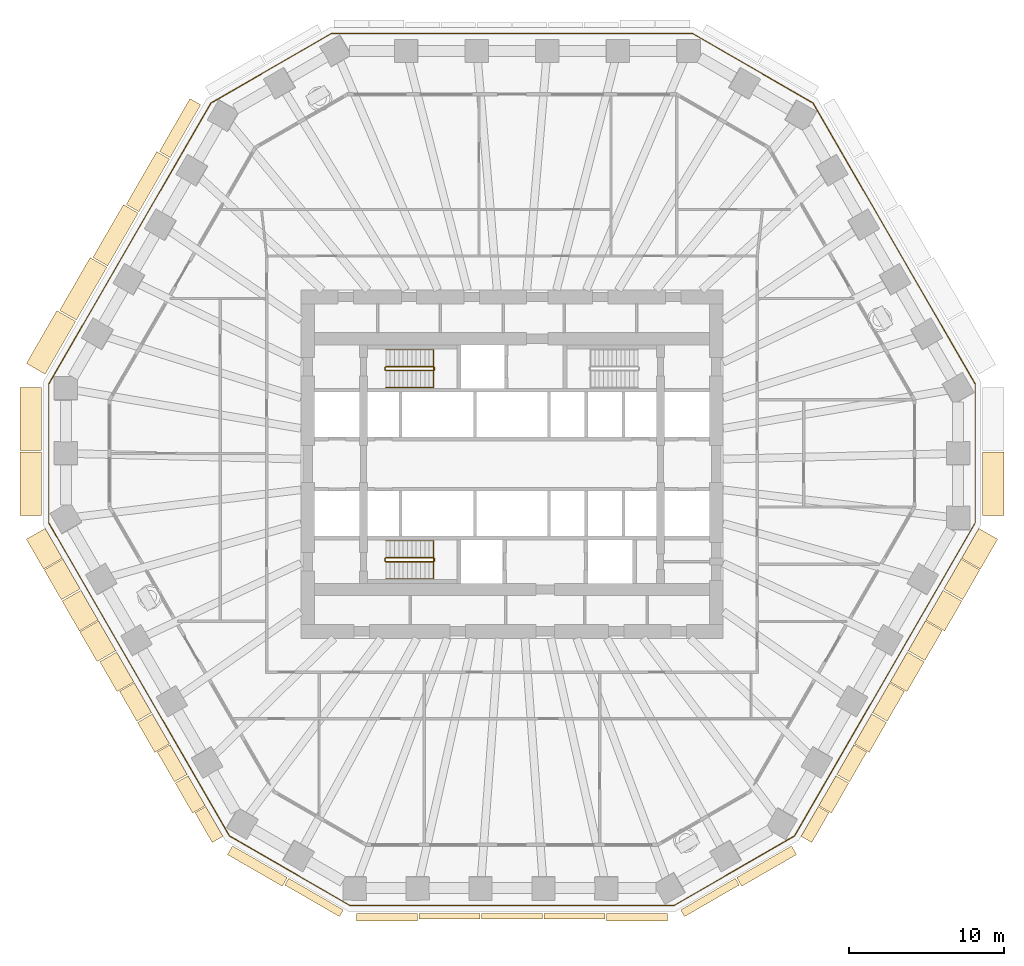
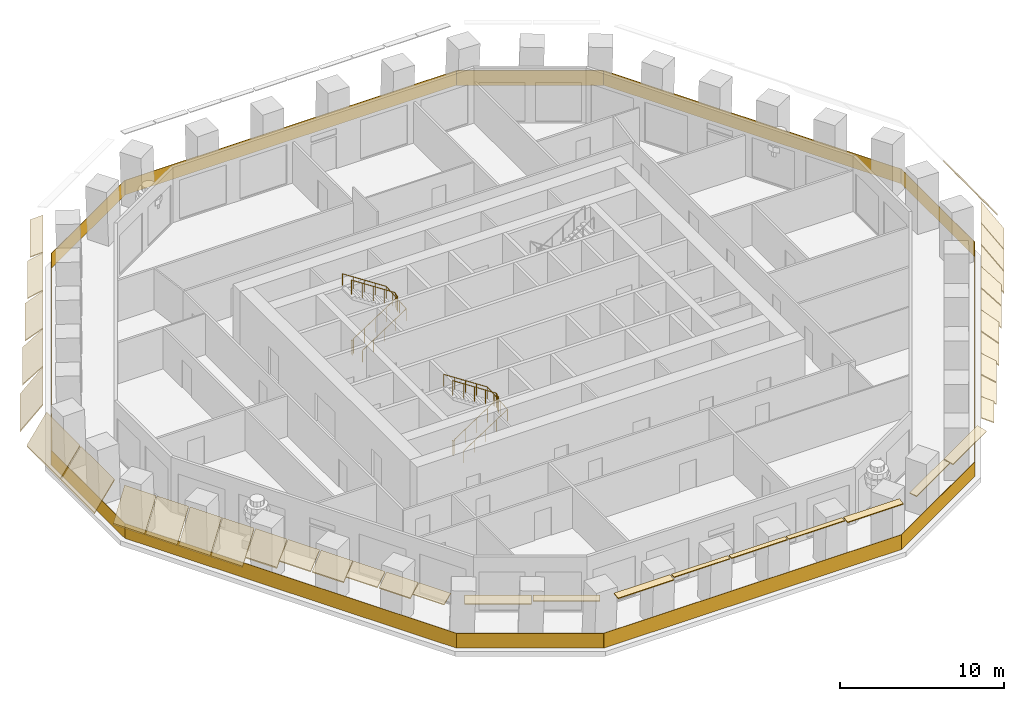
# One storey, part 10 of 13: 37 coverings, 5 railings.
"""IFC4 building model written with IfcOpenShell, lengths in metres."""

from ifc_helpers import new_model, si_unit, direction, frame, origin, origin_2d, place, context, subcontext, project, spatial, polyline, rectangle, circle, outline, extrude, material, layer, layer_set, type_object, element, save


model = new_model("IFC4")

# Units and contexts
model_context = context("Model", 3, precision=1e-05, world=origin(), true_north=direction((0.0, 1.0)))
body_context = subcontext(model_context, "Body", "Model", "MODEL_VIEW")
ifc_project = project(units=[si_unit("LENGTHUNIT", "METRE"), si_unit("AREAUNIT", "SQUARE_METRE"), si_unit("VOLUMEUNIT", "CUBIC_METRE"), si_unit("PLANEANGLEUNIT", "RADIAN"), si_unit("MASSUNIT", "GRAM", prefix="KILO")], contexts=[model_context])

# Site, building, storey
site_placement = place(None, origin())
site = spatial("IfcSite", under=ifc_project, at=site_placement, CompositionType="ELEMENT")
building_placement = place(site_placement, origin())
building = spatial("IfcBuilding", under=site, at=building_placement, Name="Frailejon Research Tower", CompositionType="ELEMENT")
storey_placement = place(building_placement, frame((0.0, 0.0, 36.60009765625)))
storey = spatial("IfcBuildingStorey", under=building, at=storey_placement, Name="L08", CompositionType="ELEMENT", Elevation=36.60009765625)

# Coverings
ifc_material_1 = material(Name="Precast concrete C50/60", Category="concrete")
ifc_layer_1 = layer(ifc_material_1, 0.06005859375)
ifc_layer_set_1 = layer_set([ifc_layer_1], Name="Brim blade depth 1100")
covering_type_1 = type_object("IfcCoveringType", Name="Brim blade depth 1100", PredefinedType="CLADDING", material=ifc_layer_set_1)
covering_1_placement = place(storey_placement, frame((-26.12548828125, 12.80859375, 4.25), z_axis=(0.500009543026, 0.866019894046, 0.0), x_axis=(-0.866019894046, 0.500009543026, 0.0)))
element("IfcCovering", 1, at=covering_1_placement, inside=storey, type_object=covering_type_1, Name="Brim blade L08", PredefinedType="CLADDING", context=body_context, shape_type="SweptSolid", body=[
    extrude(outline(polyline([(0.0, -0.078369140625), (1.10009765625, -1.001220703125), (1.10009765625, -0.923095703125), (0.0, 0.0), (0.0, -0.078369140625)])), origin(), (0.0, 0.0, 1.0), 3.940185546875),
])
for number, where, z_axis, x_axis, name in (
    (2, (-23.293212890625, -16.05517578125, 4.25), (-0.500007547957, 0.866021045926, 0.0), (-0.866021045926, -0.500007547957, 0.0), "Brim blade L08"),
    (3, (-22.12939453125, -18.07080078125, 4.25), (-0.499998165095, 0.866026463165, 0.0), (-0.866026463165, -0.499998165095, 0.0), "Brim blade L08"),
    (4, (23.2431640625, -16.1416015625, 4.25), (-0.499998165095, -0.866026463165, 0.0), (0.866026463165, -0.499998165095, 0.0), "Brim blade L08"),
    (5, (24.406982421875, -14.1259765625, 4.25), (-0.500007547957, -0.866021045926, 0.0), (0.866021045926, -0.500007547957, 0.0), "Brim blade L08"),
):
    element("IfcCovering", number, at=place(storey_placement, frame(where, z_axis=z_axis, x_axis=x_axis)), inside=storey, type_object=covering_type_1, Name=name, PredefinedType="CLADDING", context=body_context, shape_type="SweptSolid", body=[
        extrude(outline(polyline([(0.0, -0.078369140625), (1.10009765625, -1.001220703125), (1.10009765625, -0.923095703125), (0.0, 0.0), (0.0, -0.078369140625)])), origin(), (0.0, 0.0, 1.0), 2.2275390625),
    ])
ifc_material_2 = material(Name="Precast concrete C50/60", Category="concrete")
ifc_layer_2 = layer(ifc_material_2, 0.06005859375)
ifc_layer_set_2 = layer_set([ifc_layer_2], Name="Brim blade depth 1250")
covering_type_2 = type_object("IfcCoveringType", Name="Brim blade depth 1250", PredefinedType="CLADDING", material=ifc_layer_set_2)
covering_2_placement = place(storey_placement, frame((-28.1455078125, 9.3095703125, 4.25), z_axis=(0.499990979749, 0.866030611566, 0.0), x_axis=(-0.866030611566, 0.499990979749, 0.0)))
element("IfcCovering", 6, at=covering_2_placement, inside=storey, type_object=covering_type_2, Name="Brim blade L08", PredefinedType="CLADDING", context=body_context, shape_type="SweptSolid", body=[
    extrude(outline(polyline([(0.0, -0.0888671875), (1.25, -1.452880859375), (1.25, -1.364013671875), (0.0, 0.0), (0.0, -0.0888671875)])), origin(), (0.0, 0.0, 1.0), 3.940185546875),
])
for number, where, z_axis, x_axis, name in (
    (7, (-24.43701171875, -14.073974609375, 4.25), (-0.500007547957, 0.866021045926, 0.0), (-0.866021045926, -0.500007547957, 0.0), "Brim blade L08"),
    (8, (25.55078125, -12.14501953125, 4.25), (-0.500007547957, -0.866021045926, 0.0), (0.866021045926, -0.500007547957, 0.0), "Brim blade L08"),
    (9, (26.714599609375, -10.129150390625, 4.25), (-0.499981914212, -0.866035845367, 0.0), (0.866035845367, -0.499981914212, 0.0), "Brim blade L08"),
):
    element("IfcCovering", number, at=place(storey_placement, frame(where, z_axis=z_axis, x_axis=x_axis)), inside=storey, type_object=covering_type_2, Name=name, PredefinedType="CLADDING", context=body_context, shape_type="SweptSolid", body=[
        extrude(outline(polyline([(0.0, -0.0888671875), (1.25, -1.452880859375), (1.25, -1.364013671875), (0.0, 0.0), (0.0, -0.0888671875)])), origin(), (0.0, 0.0, 1.0), 2.2275390625),
    ])
ifc_material_3 = material(Name="Precast concrete C50/60", Category="concrete")
ifc_layer_3 = layer(ifc_material_3, 0.06005859375)
ifc_layer_set_3 = layer_set([ifc_layer_3], Name="Brim blade depth 1400")
covering_type_3 = type_object("IfcCoveringType", Name="Brim blade depth 1400", PredefinedType="CLADDING", material=ifc_layer_set_3)
covering_3_placement = place(storey_placement, frame((30.391845703125, 0.77978515625, 4.25), z_axis=(0.0, -1.0, 0.0), x_axis=(1.0, 0.0, 0.0)))
element("IfcCovering", 10, at=covering_3_placement, inside=storey, type_object=covering_type_3, Name="Brim blade L08", PredefinedType="CLADDING", context=body_context, shape_type="SweptSolid", body=[
    extrude(outline(polyline([(0.0, -0.1044921875), (1.39990234375, -2.10400390625), (1.39990234375, -1.99951171875), (0.0, 0.0), (0.0, -0.1044921875)])), origin(), (0.0, 0.0, 1.0), 4.087646484375),
])
covering_4_placement = place(storey_placement, frame((-30.165771484375, 5.810546875, 4.25), z_axis=(0.499998825824, 0.866026081694, 0.0), x_axis=(-0.866026081694, 0.499998825824, 0.0)))
element("IfcCovering", 11, at=covering_4_placement, inside=storey, type_object=covering_type_3, Name="Brim blade L08", PredefinedType="CLADDING", context=body_context, shape_type="SweptSolid", body=[
    extrude(outline(polyline([(0.0, -0.1044921875), (1.39990234375, -2.10400390625), (1.39990234375, -1.99951171875), (0.0, 0.0), (0.0, -0.1044921875)])), origin(), (0.0, 0.0, 1.0), 3.9404296875),
])
covering_5_placement = place(storey_placement, frame((-30.391845703125, 0.879638671875, 4.25), z_axis=(0.0, 1.0, 0.0), x_axis=(-1.0, 0.0, 0.0)))
element("IfcCovering", 12, at=covering_5_placement, inside=storey, type_object=covering_type_3, Name="Brim blade L08", PredefinedType="CLADDING", context=body_context, shape_type="SweptSolid", body=[
    extrude(outline(polyline([(0.0, -0.1044921875), (1.39990234375, -2.10400390625), (1.39990234375, -1.99951171875), (0.0, 0.0), (0.0, -0.1044921875)])), origin(), (0.0, 0.0, 1.0), 4.08740234375),
])
covering_6_placement = place(storey_placement, frame((-30.391845703125, -3.307861328125, 4.25), z_axis=(0.0, 1.0, 0.0), x_axis=(-1.0, 0.0, 0.0)))
element("IfcCovering", 13, at=covering_6_placement, inside=storey, type_object=covering_type_3, Name="Brim blade L08", PredefinedType="CLADDING", context=body_context, shape_type="SweptSolid", body=[
    extrude(outline(polyline([(0.0, -0.1044921875), (1.39990234375, -2.10400390625), (1.39990234375, -1.99951171875), (0.0, 0.0), (0.0, -0.1044921875)])), origin(), (0.0, 0.0, 1.0), 4.087646484375),
])
for number, where, z_axis, x_axis, name in (
    (14, (-29.052001953125, -6.080322265625, 4.25), (-0.500007547957, 0.866021045926, 0.0), (-0.866021045926, -0.500007547957, 0.0), "Brim blade L08"),
    (15, (-27.908203125, -8.061279296875, 4.25), (-0.500007547957, 0.866021045926, 0.0), (-0.866021045926, -0.500007547957, 0.0), "Brim blade L08"),
    (16, (-26.744384765625, -10.0771484375, 4.25), (-0.499981914212, 0.866035845367, 0.0), (-0.866035845367, -0.499981914212, 0.0), "Brim blade L08"),
    (17, (-25.600830078125, -12.058349609375, 4.25), (-0.499981914212, 0.866035845367, 0.0), (-0.866035845367, -0.499981914212, 0.0), "Brim blade L08"),
    (18, (27.8583984375, -8.14794921875, 4.25), (-0.499981914212, -0.866035845367, 0.0), (0.866035845367, -0.499981914212, 0.0), "Brim blade L08"),
    (19, (29.02197265625, -6.13232421875, 4.25), (-0.500007547957, -0.866021045926, 0.0), (0.866021045926, -0.500007547957, 0.0), "Brim blade L08"),
    (20, (30.165771484375, -4.151123046875, 4.25), (-0.500007547957, -0.866021045926, 0.0), (0.866021045926, -0.500007547957, 0.0), "Brim blade L08"),
):
    element("IfcCovering", number, at=place(storey_placement, frame(where, z_axis=z_axis, x_axis=x_axis)), inside=storey, type_object=covering_type_3, Name=name, PredefinedType="CLADDING", context=body_context, shape_type="SweptSolid", body=[
        extrude(outline(polyline([(0.0, -0.1044921875), (1.39990234375, -2.10400390625), (1.39990234375, -1.99951171875), (0.0, 0.0), (0.0, -0.1044921875)])), origin(), (0.0, 0.0, 1.0), 2.2275390625),
    ])
ifc_material_4 = material(Name="Precast concrete C50/60", Category="concrete")
ifc_layer_4 = layer(ifc_material_4, 0.06005859375)
ifc_layer_set_4 = layer_set([ifc_layer_4], Name="Brim blade depth 350")
covering_type_4 = type_object("IfcCoveringType", Name="Brim blade depth 350", PredefinedType="CLADDING", material=ifc_layer_set_4)
covering_7_placement = place(storey_placement, frame((-2.0703125, -29.02978515625, 4.25), z_axis=(-1.0, 0.0, 0.0), x_axis=(0.0, -1.0, 0.0)))
element("IfcCovering", 21, at=covering_7_placement, inside=storey, type_object=covering_type_4, Name="Brim blade L08", PredefinedType="CLADDING", context=body_context, shape_type="SweptSolid", body=[
    extrude(outline(polyline([(0.0, -0.06005859375), (0.35009765625, -0.06005859375), (0.35009765625, 0.0), (0.0, 0.0), (0.0, -0.06005859375)])), origin(), (0.0, 0.0, 1.0), 3.940185546875),
])
covering_8_placement = place(storey_placement, frame((1.97021484375, -29.02978515625, 4.25), z_axis=(-1.0, 0.0, 0.0), x_axis=(0.0, -1.0, 0.0)))
element("IfcCovering", 22, at=covering_8_placement, inside=storey, type_object=covering_type_4, Name="Brim blade L08", PredefinedType="CLADDING", context=body_context, shape_type="SweptSolid", body=[
    extrude(outline(polyline([(0.0, -0.06005859375), (0.35009765625, -0.06005859375), (0.35009765625, 0.0), (0.0, 0.0), (0.0, -0.06005859375)])), origin(), (0.0, 0.0, 1.0), 3.9404296875),
])
covering_9_placement = place(storey_placement, frame((6.010498046875, -29.02978515625, 4.25), z_axis=(-1.0, 0.0, 0.0), x_axis=(0.0, -1.0, 0.0)))
element("IfcCovering", 23, at=covering_9_placement, inside=storey, type_object=covering_type_4, Name="Brim blade L08", PredefinedType="CLADDING", context=body_context, shape_type="SweptSolid", body=[
    extrude(outline(polyline([(0.0, -0.06005859375), (0.35009765625, -0.06005859375), (0.35009765625, 0.0), (0.0, 0.0), (0.0, -0.06005859375)])), origin(), (0.0, 0.0, 1.0), 3.940185546875),
])
ifc_material_5 = material(Name="Precast concrete C50/60", Category="concrete")
ifc_layer_5 = layer(ifc_material_5, 0.06005859375)
ifc_layer_set_5 = layer_set([ifc_layer_5], Name="Brim blade depth 500")
covering_type_5 = type_object("IfcCoveringType", Name="Brim blade depth 500", PredefinedType="CLADDING", material=ifc_layer_set_5)
covering_10_placement = place(storey_placement, frame((-10.894287109375, -28.8037109375, 4.25), z_axis=(-0.866021344981, 0.500007029989, 0.0), x_axis=(-0.500007029989, -0.866021344981, 0.0)))
element("IfcCovering", 24, at=covering_10_placement, inside=storey, type_object=covering_type_5, Name="Brim blade L08", PredefinedType="CLADDING", context=body_context, shape_type="SweptSolid", body=[
    extrude(outline(polyline([(0.0, -0.060546875), (0.5, -0.130859375), (0.5, -0.0703125), (0.0, 0.0), (0.0, -0.060546875)])), origin(), (0.0, 0.0, 1.0), 4.08740234375),
])
for number, where, z_axis, x_axis, name in (
    (25, (-6.110595703125, -29.02978515625, 4.25), (-1.0, 0.0, 0.0), (0.0, -1.0, 0.0), "Brim blade L08"),
    (26, (10.05078125, -29.02978515625, 4.25), (-1.0, 0.0, 0.0), (0.0, -1.0, 0.0), "Brim blade L08"),
):
    element("IfcCovering", number, at=place(storey_placement, frame(where, z_axis=z_axis, x_axis=x_axis)), inside=storey, type_object=covering_type_5, Name=name, PredefinedType="CLADDING", context=body_context, shape_type="SweptSolid", body=[
        extrude(outline(polyline([(0.0, -0.060546875), (0.5, -0.130859375), (0.5, -0.0703125), (0.0, 0.0), (0.0, -0.060546875)])), origin(), (0.0, 0.0, 1.0), 3.9404296875),
    ])
covering_11_placement = place(storey_placement, frame((14.43408203125, -26.760009765625, 4.25), z_axis=(-0.866021344981, -0.500007029989, 0.0), x_axis=(0.500007029989, -0.866021344981, 0.0)))
element("IfcCovering", 27, at=covering_11_placement, inside=storey, type_object=covering_type_5, Name="Brim blade L08", PredefinedType="CLADDING", context=body_context, shape_type="SweptSolid", body=[
    extrude(outline(polyline([(0.0, -0.060546875), (0.5, -0.130859375), (0.5, -0.0703125), (0.0, 0.0), (0.0, -0.060546875)])), origin(), (0.0, 0.0, 1.0), 4.08740234375),
])
ifc_material_6 = material(Name="Precast concrete C50/60", Category="concrete")
ifc_layer_6 = layer(ifc_material_6, 0.06005859375)
ifc_layer_set_6 = layer_set([ifc_layer_6], Name="Brim blade depth 650")
covering_type_6 = type_object("IfcCoveringType", Name="Brim blade depth 650", PredefinedType="CLADDING", material=ifc_layer_set_6)
for number, where, z_axis, x_axis, name in (
    (28, (-14.520751953125, -26.7099609375, 4.25), (-0.866021344981, 0.500007029989, 0.0), (-0.500007029989, -0.866021344981, 0.0), "Brim blade L08"),
    (29, (18.060546875, -24.666015625, 4.25), (-0.866021344981, -0.500007029989, 0.0), (0.500007029989, -0.866021344981, 0.0), "Brim blade L08"),
):
    element("IfcCovering", number, at=place(storey_placement, frame(where, z_axis=z_axis, x_axis=x_axis)), inside=storey, type_object=covering_type_6, Name=name, PredefinedType="CLADDING", context=body_context, shape_type="SweptSolid", body=[
        extrude(outline(polyline([(0.0, -0.0625), (0.64990234375, -0.248779296875), (0.64990234375, -0.186279296875), (0.0, 0.0), (0.0, -0.0625)])), origin(), (0.0, 0.0, 1.0), 4.08740234375),
    ])
ifc_material_7 = material(Name="Precast concrete C50/60", Category="concrete")
ifc_layer_7 = layer(ifc_material_7, 0.06005859375)
ifc_layer_set_7 = layer_set([ifc_layer_7], Name="Brim blade depth 800")
covering_type_7 = type_object("IfcCoveringType", Name="Brim blade depth 800", PredefinedType="CLADDING", material=ifc_layer_set_7)
covering_12_placement = place(storey_placement, frame((-22.085205078125, 19.806640625, 4.25), z_axis=(0.500009543026, 0.866019894046, 0.0), x_axis=(-0.866019894046, 0.500009543026, 0.0)))
element("IfcCovering", 30, at=covering_12_placement, inside=storey, type_object=covering_type_7, Name="Brim blade L08", PredefinedType="CLADDING", context=body_context, shape_type="SweptSolid", body=[
    extrude(outline(polyline([(0.0, -0.065673828125), (0.800048828125, -0.421875), (0.800048828125, -0.356201171875), (0.0, 0.0), (0.0, -0.065673828125)])), origin(), (0.0, 0.0, 1.0), 3.940185546875),
])
for number, where, z_axis, x_axis, name in (
    (31, (-18.677978515625, -24.048828125, 4.25), (-0.500007547957, 0.866021045926, 0.0), (-0.866021045926, -0.500007547957, 0.0), "Brim blade L08"),
    (32, (19.791748046875, -22.11962890625, 4.25), (-0.500007547957, -0.866021045926, 0.0), (0.866021045926, -0.500007547957, 0.0), "Brim blade L08"),
):
    element("IfcCovering", number, at=place(storey_placement, frame(where, z_axis=z_axis, x_axis=x_axis)), inside=storey, type_object=covering_type_7, Name=name, PredefinedType="CLADDING", context=body_context, shape_type="SweptSolid", body=[
        extrude(outline(polyline([(0.0, -0.065673828125), (0.800048828125, -0.421875), (0.800048828125, -0.356201171875), (0.0, 0.0), (0.0, -0.065673828125)])), origin(), (0.0, 0.0, 1.0), 2.2275390625),
    ])
ifc_material_8 = material(Name="Precast concrete C50/60", Category="concrete")
ifc_layer_8 = layer(ifc_material_8, 0.06005859375)
ifc_layer_set_8 = layer_set([ifc_layer_8], Name="Brim blade depth 950")
covering_type_8 = type_object("IfcCoveringType", Name="Brim blade depth 950", PredefinedType="CLADDING", material=ifc_layer_set_8)
covering_13_placement = place(storey_placement, frame((-24.105224609375, 16.3076171875, 4.25), z_axis=(0.499998825824, 0.866026081694, 0.0), x_axis=(-0.866026081694, 0.499998825824, 0.0)))
element("IfcCovering", 33, at=covering_13_placement, inside=storey, type_object=covering_type_8, Name="Brim blade L08", PredefinedType="CLADDING", context=body_context, shape_type="SweptSolid", body=[
    extrude(outline(polyline([(0.0, -0.07080078125), (0.949951171875, -0.664306640625), (0.949951171875, -0.593505859375), (0.0, 0.0), (0.0, -0.07080078125)])), origin(), (0.0, 0.0, 1.0), 3.9404296875),
])
for number, where, z_axis, x_axis, name in (
    (34, (-20.985595703125, -20.052001953125, 4.25), (-0.499998165095, 0.866026463165, 0.0), (-0.866026463165, -0.499998165095, 0.0), "Brim blade L08"),
    (35, (-19.82177734375, -22.067626953125, 4.25), (-0.500007547957, 0.866021045926, 0.0), (-0.866021045926, -0.500007547957, 0.0), "Brim blade L08"),
    (36, (20.935546875, -20.138671875, 4.25), (-0.500007547957, -0.866021045926, 0.0), (0.866021045926, -0.500007547957, 0.0), "Brim blade L08"),
    (37, (22.099365234375, -18.122802734375, 4.25), (-0.499998165095, -0.866026463165, 0.0), (0.866026463165, -0.499998165095, 0.0), "Brim blade L08"),
):
    element("IfcCovering", number, at=place(storey_placement, frame(where, z_axis=z_axis, x_axis=x_axis)), inside=storey, type_object=covering_type_8, Name=name, PredefinedType="CLADDING", context=body_context, shape_type="SweptSolid", body=[
        extrude(outline(polyline([(0.0, -0.07080078125), (0.949951171875, -0.664306640625), (0.949951171875, -0.593505859375), (0.0, 0.0), (0.0, -0.07080078125)])), origin(), (0.0, 0.0, 1.0), 2.2275390625),
    ])

# Railings
ifc_material_9 = material(Name="Laminated glass balustrade", Category="glass")
railing_type_1 = type_object("IfcRailingType", Name="Glass guard 1100", PredefinedType="GUARDRAIL", material=ifc_material_9)
railing_1_placement = place(storey_placement, frame((29.932861328125, -3.79638671875, 0.0)))
element("IfcRailing", 38, at=railing_1_placement, inside=storey, type_object=railing_type_1, Name="Loggia guard L08", PredefinedType="GUARDRAIL", context=body_context, shape_type="SweptSolid", body=[
    extrude(rectangle(XDim=8.9755859375, YDim=0.030029296875, at=origin_2d()), frame((0.0, 4.48779296875, 0.0), z_axis=(0.0, 0.0, 1.0), x_axis=(0.0, 1.0, 0.0)), (0.0, 0.0, 1.0), 1.10009765625),
    extrude(rectangle(XDim=20.962158203125, YDim=0.030029296875, at=origin_2d()), frame((-5.240478515625, 18.052490234375, 0.0), z_axis=(0.0, 0.0, 1.0), x_axis=(-0.499994660107, 0.866028486751, 0.0)), (0.0, 0.0, 1.0), 1.10009765625),
    extrude(rectangle(XDim=8.975830078125, YDim=0.030029296875, at=origin_2d()), frame((-14.36767578125, 29.373291015625, 0.0), z_axis=(0.0, 0.0, 1.0), x_axis=(-0.866035209449, 0.499983015706, 0.0)), (0.0, 0.0, 1.0), 1.10009765625),
    extrude(rectangle(XDim=23.35693359375, YDim=0.030029296875, at=origin_2d()), frame((-29.932861328125, 31.6171875, 0.0), z_axis=(0.0, 0.0, 1.0), x_axis=(-1.0, 0.0, 0.0)), (0.0, 0.0, 1.0), 1.10009765625),
    extrude(rectangle(XDim=8.975830078125, YDim=0.030029296875, at=origin_2d()), frame((-45.498046875, 29.373291015625, 0.0), z_axis=(0.0, 0.0, 1.0), x_axis=(-0.866035209449, -0.499983015706, 0.0)), (0.0, 0.0, 1.0), 1.10009765625),
    extrude(rectangle(XDim=20.962158203125, YDim=0.030029296875, at=origin_2d()), frame((-54.625244140625, 18.052490234375, 0.0), z_axis=(0.0, 0.0, 1.0), x_axis=(-0.499994660107, -0.866028486751, 0.0)), (0.0, 0.0, 1.0), 1.10009765625),
    extrude(rectangle(XDim=8.9755859375, YDim=0.030029296875, at=origin_2d()), frame((-59.86572265625, 4.48779296875, 0.0), z_axis=(0.0, 0.0, 1.0), x_axis=(0.0, -1.0, 0.0)), (0.0, 0.0, 1.0), 1.10009765625),
    extrude(rectangle(XDim=23.357177734375, YDim=0.030029296875, at=origin_2d()), frame((-54.0263671875, -10.114013671875, 0.0), z_axis=(0.0, 0.0, 1.0), x_axis=(0.499993891537, -0.866028930478, 0.0)), (0.0, 0.0, 1.0), 1.10009765625),
    extrude(rectangle(XDim=8.975830078125, YDim=0.030029296875, at=origin_2d()), frame((-44.300537109375, -22.471923828125, 0.0), z_axis=(0.0, 0.0, 1.0), x_axis=(0.866035209449, -0.499983015706, 0.0)), (0.0, 0.0, 1.0), 1.10009765625),
    extrude(rectangle(XDim=20.9619140625, YDim=0.030029296875, at=origin_2d()), frame((-29.932861328125, -24.7158203125, 0.0), z_axis=(0.0, 0.0, 1.0), x_axis=(1.0, 0.0, 0.0)), (0.0, 0.0, 1.0), 1.10009765625),
    extrude(rectangle(XDim=8.975830078125, YDim=0.030029296875, at=origin_2d()), frame((-15.565185546875, -22.471923828125, 0.0), z_axis=(0.0, 0.0, 1.0), x_axis=(0.866035209449, 0.499983015706, 0.0)), (0.0, 0.0, 1.0), 1.10009765625),
    extrude(rectangle(XDim=23.287109375, YDim=0.030029296875, at=origin_2d()), frame((-5.85693359375, -10.14453125, 0.0), z_axis=(0.0, 0.0, 1.0), x_axis=(0.499991987696, 0.866030029641, 0.0)), (0.0, 0.0, 1.0), 1.10009765625),
])
ifc_material_10 = material(Name="Stainless steel", Category="steel")
railing_type_2 = type_object("IfcRailingType", Name="Stair guard 1100", PredefinedType="GUARDRAIL", material=ifc_material_10)
railing_2_placement = place(storey_placement, frame((-8.199951171875, 6.25, 0.0)))
element("IfcRailing", 39, at=railing_2_placement, inside=storey, type_object=railing_type_2, Name="L08 ST1 stair guard 1", PredefinedType="GUARDRAIL", context=body_context, shape_type="SweptSolid", body=[
    extrude(circle(Radius=0.02392578125, at=origin_2d()), frame((0.0, 0.0, 1.076171875), z_axis=(0.0, -1.0, 0.0), x_axis=(1.0, 0.0, 0.0)), (0.0, 0.0, 1.0), 0.14990234375),
    extrude(circle(Radius=0.02392578125, at=origin_2d()), frame((0.0, -0.14990234375, 1.076171875), z_axis=(0.254653276557, -0.254653276557, 0.932900539971), x_axis=(0.707106781187, 0.707106781187, 0.0)), (0.0, 0.0, 1.0), 0.196533203125),
    extrude(circle(Radius=0.02392578125, at=origin_2d()), frame((0.050048828125, -0.199951171875, 1.25927734375), z_axis=(0.836613101238, 0.0, 0.547794230379), x_axis=(0.0, 1.0, 0.0)), (0.0, 0.0, 1.0), 3.681396484375),
    extrude(circle(Radius=0.02392578125, at=origin_2d()), frame((3.1298828125, -0.199951171875, 3.27587890625), z_axis=(0.707106781187, 0.707106781187, 0.0), x_axis=(-0.707106781187, 0.707106781187, 0.0)), (0.0, 0.0, 1.0), 0.07080078125),
    extrude(circle(Radius=0.02392578125, at=origin_2d()), frame((3.179931640625, -0.14990234375, 3.27587890625), z_axis=(0.0, 1.0, 0.0), x_axis=(-1.0, 0.0, 0.0)), (0.0, 0.0, 1.0), 0.14990234375),
    extrude(circle(Radius=0.02392578125, at=origin_2d()), frame((3.179931640625, 0.0, 3.27587890625), z_axis=(-0.254653276557, 0.254653276557, 0.932900539971), x_axis=(-0.707106781187, -0.707106781187, 0.0)), (0.0, 0.0, 1.0), 0.196533203125),
    extrude(circle(Radius=0.02392578125, at=origin_2d()), frame((3.1298828125, 0.050048828125, 3.45947265625), z_axis=(-0.836613101238, 0.0, 0.547794230379), x_axis=(0.0, -1.0, 0.0)), (0.0, 0.0, 1.0), 3.681396484375),
    extrude(circle(Radius=0.02099609375, at=origin_2d()), origin(), (0.0, 0.0, 1.0), 1.052001953125),
    extrude(circle(Radius=0.02099609375, at=origin_2d()), frame((0.0, -0.14990234375, 0.0)), (0.0, 0.0, 1.0), 1.052001953125),
    extrude(circle(Radius=0.02099609375, at=origin_2d()), frame((0.050048828125, -0.199951171875, 0.183349609375)), (0.0, 0.0, 1.0), 1.052001953125),
    extrude(circle(Radius=0.02099609375, at=origin_2d()), frame((0.820068359375, -0.199951171875, 0.6875)), (0.0, 0.0, 1.0), 1.052001953125),
    extrude(circle(Radius=0.02099609375, at=origin_2d()), frame((1.58984375, -0.199951171875, 1.191650390625)), (0.0, 0.0, 1.0), 1.052001953125),
    extrude(circle(Radius=0.02099609375, at=origin_2d()), frame((2.35986328125, -0.199951171875, 1.69580078125)), (0.0, 0.0, 1.0), 1.052001953125),
    extrude(circle(Radius=0.02099609375, at=origin_2d()), frame((3.1298828125, -0.199951171875, 2.199951171875)), (0.0, 0.0, 1.0), 1.052001953125),
    extrude(circle(Radius=0.02099609375, at=origin_2d()), frame((3.179931640625, -0.14990234375, 2.199951171875)), (0.0, 0.0, 1.0), 1.052001953125),
    extrude(circle(Radius=0.02099609375, at=origin_2d()), frame((3.179931640625, 0.0, 2.199951171875)), (0.0, 0.0, 1.0), 1.052001953125),
    extrude(circle(Radius=0.02099609375, at=origin_2d()), frame((3.1298828125, 0.050048828125, 2.38330078125)), (0.0, 0.0, 1.0), 1.052001953125),
    extrude(circle(Radius=0.02099609375, at=origin_2d()), frame((2.35986328125, 0.050048828125, 2.887451171875)), (0.0, 0.0, 1.0), 1.052001953125),
    extrude(circle(Radius=0.02099609375, at=origin_2d()), frame((1.58984375, 0.050048828125, 3.3916015625)), (0.0, 0.0, 1.0), 1.052001953125),
    extrude(circle(Radius=0.02099609375, at=origin_2d()), frame((0.820068359375, 0.050048828125, 3.895751953125)), (0.0, 0.0, 1.0), 1.052001953125),
    extrude(circle(Radius=0.02099609375, at=origin_2d()), frame((0.050048828125, 0.050048828125, 4.39990234375)), (0.0, 0.0, 1.0), 1.052001953125),
])
railing_3_placement = place(storey_placement, frame((-8.199951171875, -6.10009765625, 0.0)))
element("IfcRailing", 40, at=railing_3_placement, inside=storey, type_object=railing_type_2, Name="L08 ST2 stair guard 1", PredefinedType="GUARDRAIL", context=body_context, shape_type="SweptSolid", body=[
    extrude(circle(Radius=0.02392578125, at=origin_2d()), frame((0.0, 0.0, 1.076171875), z_axis=(0.0, -1.0, 0.0), x_axis=(1.0, 0.0, 0.0)), (0.0, 0.0, 1.0), 0.14990234375),
    extrude(circle(Radius=0.02392578125, at=origin_2d()), frame((0.0, -0.14990234375, 1.076171875), z_axis=(0.254653276557, -0.254653276557, 0.932900539971), x_axis=(0.707106781187, 0.707106781187, 0.0)), (0.0, 0.0, 1.0), 0.196533203125),
    extrude(circle(Radius=0.02392578125, at=origin_2d()), frame((0.050048828125, -0.199951171875, 1.25927734375), z_axis=(0.836613101238, 0.0, 0.547794230379), x_axis=(0.0, 1.0, 0.0)), (0.0, 0.0, 1.0), 3.681396484375),
    extrude(circle(Radius=0.02392578125, at=origin_2d()), frame((3.1298828125, -0.199951171875, 3.27587890625), z_axis=(0.707106781187, 0.707106781187, 0.0), x_axis=(-0.707106781187, 0.707106781187, 0.0)), (0.0, 0.0, 1.0), 0.07080078125),
    extrude(circle(Radius=0.02392578125, at=origin_2d()), frame((3.179931640625, -0.14990234375, 3.27587890625), z_axis=(0.0, 1.0, 0.0), x_axis=(-1.0, 0.0, 0.0)), (0.0, 0.0, 1.0), 0.14990234375),
    extrude(circle(Radius=0.02392578125, at=origin_2d()), frame((3.179931640625, 0.0, 3.27587890625), z_axis=(-0.254653276557, 0.254653276557, 0.932900539971), x_axis=(-0.707106781187, -0.707106781187, 0.0)), (0.0, 0.0, 1.0), 0.196533203125),
    extrude(circle(Radius=0.02392578125, at=origin_2d()), frame((3.1298828125, 0.050048828125, 3.45947265625), z_axis=(-0.836613101238, 0.0, 0.547794230379), x_axis=(0.0, -1.0, 0.0)), (0.0, 0.0, 1.0), 3.681396484375),
    extrude(circle(Radius=0.02099609375, at=origin_2d()), origin(), (0.0, 0.0, 1.0), 1.052001953125),
    extrude(circle(Radius=0.02099609375, at=origin_2d()), frame((0.0, -0.14990234375, 0.0)), (0.0, 0.0, 1.0), 1.052001953125),
    extrude(circle(Radius=0.02099609375, at=origin_2d()), frame((0.050048828125, -0.199951171875, 0.183349609375)), (0.0, 0.0, 1.0), 1.052001953125),
    extrude(circle(Radius=0.02099609375, at=origin_2d()), frame((0.820068359375, -0.199951171875, 0.6875)), (0.0, 0.0, 1.0), 1.052001953125),
    extrude(circle(Radius=0.02099609375, at=origin_2d()), frame((1.58984375, -0.199951171875, 1.191650390625)), (0.0, 0.0, 1.0), 1.052001953125),
    extrude(circle(Radius=0.02099609375, at=origin_2d()), frame((2.35986328125, -0.199951171875, 1.69580078125)), (0.0, 0.0, 1.0), 1.052001953125),
    extrude(circle(Radius=0.02099609375, at=origin_2d()), frame((3.1298828125, -0.199951171875, 2.199951171875)), (0.0, 0.0, 1.0), 1.052001953125),
    extrude(circle(Radius=0.02099609375, at=origin_2d()), frame((3.179931640625, -0.14990234375, 2.199951171875)), (0.0, 0.0, 1.0), 1.052001953125),
    extrude(circle(Radius=0.02099609375, at=origin_2d()), frame((3.179931640625, 0.0, 2.199951171875)), (0.0, 0.0, 1.0), 1.052001953125),
    extrude(circle(Radius=0.02099609375, at=origin_2d()), frame((3.1298828125, 0.050048828125, 2.38330078125)), (0.0, 0.0, 1.0), 1.052001953125),
    extrude(circle(Radius=0.02099609375, at=origin_2d()), frame((2.35986328125, 0.050048828125, 2.887451171875)), (0.0, 0.0, 1.0), 1.052001953125),
    extrude(circle(Radius=0.02099609375, at=origin_2d()), frame((1.58984375, 0.050048828125, 3.3916015625)), (0.0, 0.0, 1.0), 1.052001953125),
    extrude(circle(Radius=0.02099609375, at=origin_2d()), frame((0.820068359375, 0.050048828125, 3.895751953125)), (0.0, 0.0, 1.0), 1.052001953125),
    extrude(circle(Radius=0.02099609375, at=origin_2d()), frame((0.050048828125, 0.050048828125, 4.39990234375)), (0.0, 0.0, 1.0), 1.052001953125),
])
ifc_material_11 = material(Name="Stainless steel", Category="steel")
railing_type_3 = type_object("IfcRailingType", Name="Stair handrail 900", PredefinedType="HANDRAIL", material=ifc_material_11)
railing_4_placement = place(storey_placement, frame((-8.14990234375, 4.949951171875, 0.183349609375)))
element("IfcRailing", 41, at=railing_4_placement, inside=storey, type_object=railing_type_3, Name="L08 ST1 stair handrail 1", PredefinedType="HANDRAIL", context=body_context, shape_type="SweptSolid", body=[
    extrude(circle(Radius=0.02392578125, at=origin_2d()), frame((0.0, 0.0, 0.8759765625), z_axis=(0.836613101238, 0.0, 0.547794230379), x_axis=(0.0, 1.0, 0.0)), (0.0, 0.0, 1.0), 3.681396484375),
    extrude(circle(Radius=0.02392578125, at=origin_2d()), frame((3.079833984375, 0.0, 2.892578125), z_axis=(0.0, 0.99721134034, 0.074629368868), x_axis=(-1.0, 0.0, 0.0)), (0.0, 0.0, 1.0), 2.456787109375),
    extrude(circle(Radius=0.02392578125, at=origin_2d()), frame((3.079833984375, 2.449951171875, 3.07568359375), z_axis=(-0.836613101238, 0.0, 0.547794230379), x_axis=(0.0, -1.0, 0.0)), (0.0, 0.0, 1.0), 3.681396484375),
    extrude(circle(Radius=0.02099609375, at=origin_2d()), origin(), (0.0, 0.0, 1.0), 0.851806640625),
    extrude(circle(Radius=0.02099609375, at=origin_2d()), frame((0.77001953125, 0.0, 0.504150390625)), (0.0, 0.0, 1.0), 0.851806640625),
    extrude(circle(Radius=0.02099609375, at=origin_2d()), frame((1.5400390625, 0.0, 1.00830078125)), (0.0, 0.0, 1.0), 0.851806640625),
    extrude(circle(Radius=0.02099609375, at=origin_2d()), frame((2.309814453125, 0.0, 1.512451171875)), (0.0, 0.0, 1.0), 0.851806640625),
    extrude(circle(Radius=0.02099609375, at=origin_2d()), frame((3.079833984375, 0.0, 2.0166015625)), (0.0, 0.0, 1.0), 0.851806640625),
    extrude(circle(Radius=0.02099609375, at=origin_2d()), frame((3.079833984375, 0.816650390625, 2.07763671875)), (0.0, 0.0, 1.0), 0.851806640625),
    extrude(circle(Radius=0.02099609375, at=origin_2d()), frame((3.079833984375, 1.63330078125, 2.138916015625)), (0.0, 0.0, 1.0), 0.851806640625),
    extrude(circle(Radius=0.02099609375, at=origin_2d()), frame((3.079833984375, 2.449951171875, 2.199951171875)), (0.0, 0.0, 1.0), 0.851806640625),
    extrude(circle(Radius=0.02099609375, at=origin_2d()), frame((2.309814453125, 2.449951171875, 2.7041015625)), (0.0, 0.0, 1.0), 0.851806640625),
    extrude(circle(Radius=0.02099609375, at=origin_2d()), frame((1.5400390625, 2.449951171875, 3.208251953125)), (0.0, 0.0, 1.0), 0.851806640625),
    extrude(circle(Radius=0.02099609375, at=origin_2d()), frame((0.77001953125, 2.449951171875, 3.71240234375)), (0.0, 0.0, 1.0), 0.851806640625),
    extrude(circle(Radius=0.02099609375, at=origin_2d()), frame((0.0, 2.449951171875, 4.216552734375)), (0.0, 0.0, 1.0), 0.851806640625),
])
railing_5_placement = place(storey_placement, frame((-8.14990234375, -7.39990234375, 0.183349609375)))
element("IfcRailing", 42, at=railing_5_placement, inside=storey, type_object=railing_type_3, Name="L08 ST2 stair handrail 1", PredefinedType="HANDRAIL", context=body_context, shape_type="SweptSolid", body=[
    extrude(circle(Radius=0.02392578125, at=origin_2d()), frame((0.0, 0.0, 0.8759765625), z_axis=(0.836613101238, 0.0, 0.547794230379), x_axis=(0.0, 1.0, 0.0)), (0.0, 0.0, 1.0), 3.681396484375),
    extrude(circle(Radius=0.02392578125, at=origin_2d()), frame((3.079833984375, 0.0, 2.892578125), z_axis=(0.0, 0.99721134034, 0.074629368868), x_axis=(-1.0, 0.0, 0.0)), (0.0, 0.0, 1.0), 2.456787109375),
    extrude(circle(Radius=0.02392578125, at=origin_2d()), frame((3.079833984375, 2.449951171875, 3.07568359375), z_axis=(-0.836613101238, 0.0, 0.547794230379), x_axis=(0.0, -1.0, 0.0)), (0.0, 0.0, 1.0), 3.681396484375),
    extrude(circle(Radius=0.02099609375, at=origin_2d()), origin(), (0.0, 0.0, 1.0), 0.851806640625),
    extrude(circle(Radius=0.02099609375, at=origin_2d()), frame((0.77001953125, 0.0, 0.504150390625)), (0.0, 0.0, 1.0), 0.851806640625),
    extrude(circle(Radius=0.02099609375, at=origin_2d()), frame((1.5400390625, 0.0, 1.00830078125)), (0.0, 0.0, 1.0), 0.851806640625),
    extrude(circle(Radius=0.02099609375, at=origin_2d()), frame((2.309814453125, 0.0, 1.512451171875)), (0.0, 0.0, 1.0), 0.851806640625),
    extrude(circle(Radius=0.02099609375, at=origin_2d()), frame((3.079833984375, 0.0, 2.0166015625)), (0.0, 0.0, 1.0), 0.851806640625),
    extrude(circle(Radius=0.02099609375, at=origin_2d()), frame((3.079833984375, 0.816650390625, 2.07763671875)), (0.0, 0.0, 1.0), 0.851806640625),
    extrude(circle(Radius=0.02099609375, at=origin_2d()), frame((3.079833984375, 1.63330078125, 2.138916015625)), (0.0, 0.0, 1.0), 0.851806640625),
    extrude(circle(Radius=0.02099609375, at=origin_2d()), frame((3.079833984375, 2.449951171875, 2.199951171875)), (0.0, 0.0, 1.0), 0.851806640625),
    extrude(circle(Radius=0.02099609375, at=origin_2d()), frame((2.309814453125, 2.449951171875, 2.7041015625)), (0.0, 0.0, 1.0), 0.851806640625),
    extrude(circle(Radius=0.02099609375, at=origin_2d()), frame((1.5400390625, 2.449951171875, 3.208251953125)), (0.0, 0.0, 1.0), 0.851806640625),
    extrude(circle(Radius=0.02099609375, at=origin_2d()), frame((0.77001953125, 2.449951171875, 3.71240234375)), (0.0, 0.0, 1.0), 0.851806640625),
    extrude(circle(Radius=0.02099609375, at=origin_2d()), frame((0.0, 2.449951171875, 4.216552734375)), (0.0, 0.0, 1.0), 0.851806640625),
])

save(model, "model.ifc")
